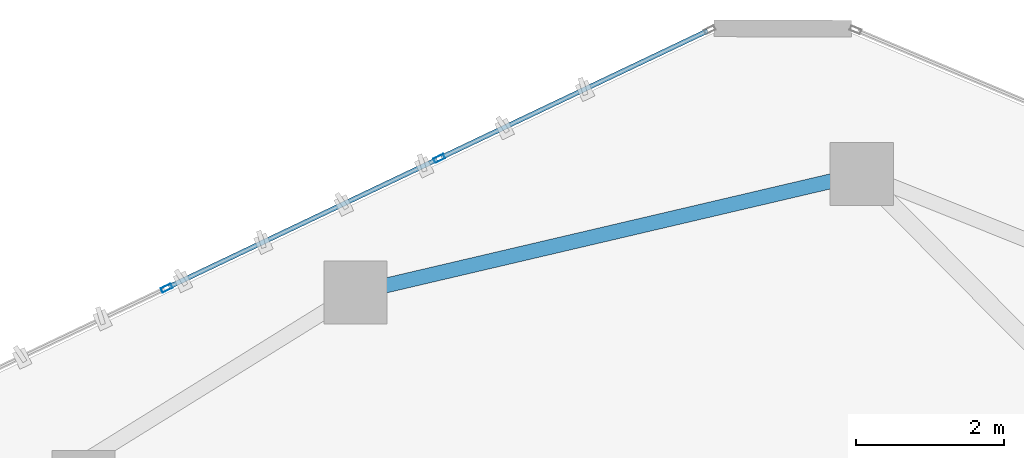
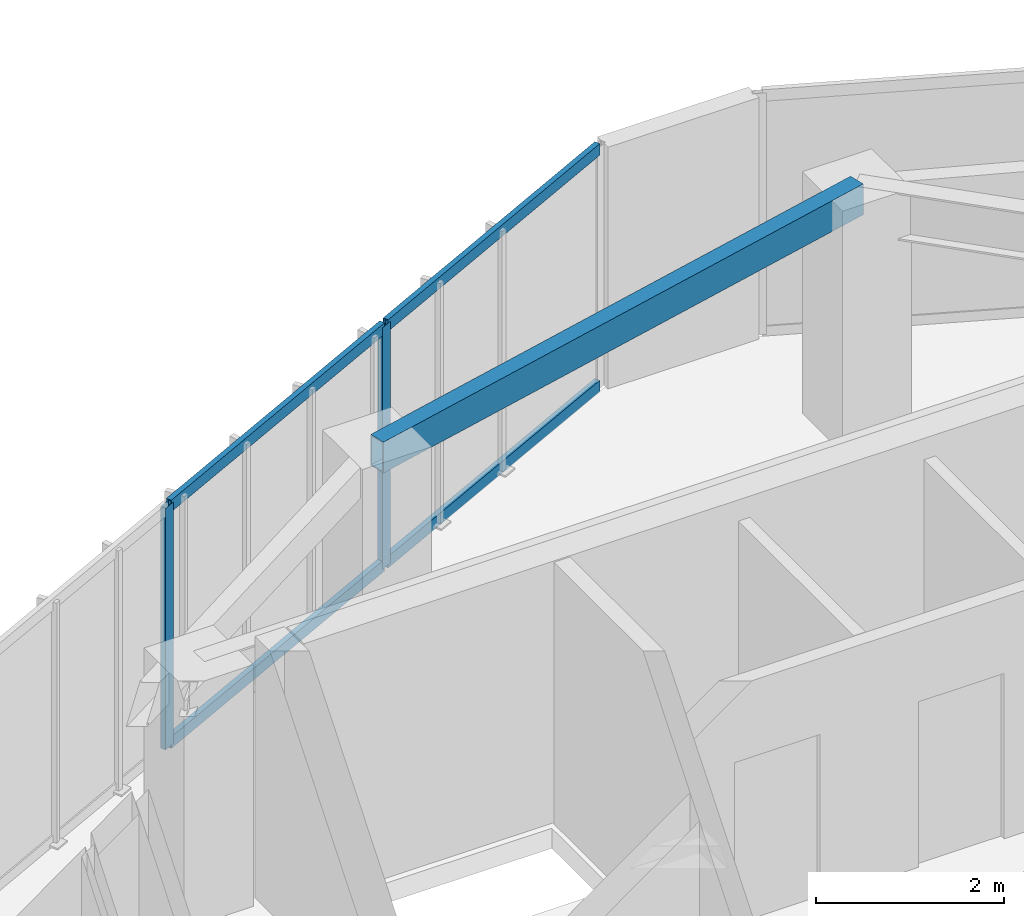
# One storey, part 11 of 20: 6 members, 1 beam, 1 element without a shape of its own.
"""IFC4 building model written with IfcOpenShell, lengths in metres."""

import ifcopenshell
import ifcopenshell.guid

model = None  # the IFC model being written
_history = None  # IfcOwnerHistory: only IFC2X3 demands one
_inside = {}  # id of a spatial element -> (the spatial element, [elements in it])
_under = {}  # id of a project, library or spatial element -> (it, [spatial elements below it])
_declared = {}  # id of a project -> (the project, [libraries it declares])
_typed = {}  # id of a type object -> (the type object, [elements of that type])
_made_of = {}  # id of a material, layer set ... -> (it, [elements and type objects made of it])


def new_model(schema):
    """Start an empty IFC model of exactly this schema.

    Asked for "IFC4X3", IfcOpenShell would pick the latest addendum, in which some entities
    have other attributes; the version numbers below select the first issue.
    IFC2X3 requires an IfcOwnerHistory on every rooted entity: one is made here for all.
    """
    global model, _history
    if schema == "IFC4X3":
        model = ifcopenshell.file(schema_version=(4, 3, 0, 0))
    else:
        model = ifcopenshell.file(schema=schema)
    _inside.clear()
    _under.clear()
    _declared.clear()
    _typed.clear()
    _made_of.clear()
    _history = None
    if model.schema == "IFC2X3":
        org = make("IfcOrganization", Name="unknown")
        user = make(
            "IfcPersonAndOrganization",
            ThePerson=make("IfcPerson", FamilyName="unknown"),
            TheOrganization=org,
        )
        app = make(
            "IfcApplication",
            ApplicationDeveloper=org,
            Version="unknown",
            ApplicationFullName="unknown",
            ApplicationIdentifier="unknown",
        )
        _history = make(
            "IfcOwnerHistory",
            OwningUser=user,
            OwningApplication=app,
            ChangeAction="ADDED",
            CreationDate=0,
        )
    return model


def make(cls, **values):
    """One entity of the class cls with the attributes given. An attribute that is None is left unset."""
    return model.create_entity(
        cls, **{name: value for name, value in values.items() if value is not None}
    )


def rooted(cls, **values):
    """An entity with a GlobalId (a new one), such as an element, a storey or a relation."""
    return make(cls, GlobalId=ifcopenshell.guid.new(), OwnerHistory=_history, **values)


def si_unit(unit_type, name, prefix=None):
    """IfcSIUnit, for example si_unit("LENGTHUNIT", "METRE", prefix="MILLI")."""
    return make("IfcSIUnit", UnitType=unit_type, Prefix=prefix, Name=name)


def assignment(units):
    """IfcUnitAssignment: the units of a project."""
    return None if units is None else make("IfcUnitAssignment", Units=units)


def point(xyz):
    """IfcCartesianPoint."""
    return None if xyz is None else make("IfcCartesianPoint", Coordinates=xyz)


def direction(xyz):
    """IfcDirection."""
    return None if xyz is None else make("IfcDirection", DirectionRatios=xyz)


def frame(location, z_axis=None, x_axis=None):
    """IfcAxis2Placement3D, a coordinate frame: its origin and axes. An axis left out is left unset."""
    return make(
        "IfcAxis2Placement3D",
        Location=point(location),
        Axis=direction(z_axis),
        RefDirection=direction(x_axis),
    )


def frame_2d(location, x_axis=None):
    """IfcAxis2Placement2D, a coordinate frame in the plane: its origin and x axis."""
    return make(
        "IfcAxis2Placement2D", Location=point(location), RefDirection=direction(x_axis)
    )


def origin():
    """The frame at (0, 0, 0) with its axes left unset."""
    return frame((0.0, 0.0, 0.0))


def origin_2d():
    """The frame at (0, 0) in the plane with its x axis left unset."""
    return frame_2d((0.0, 0.0))


def place(relative_to, where):
    """IfcLocalPlacement: puts the frame where relative to a parent placement (None: the world)."""
    return make(
        "IfcLocalPlacement", PlacementRelTo=relative_to, RelativePlacement=where
    )


def context(
    kind, dimensions, precision=None, world=None, true_north=None, identifier=None
):
    """IfcGeometricRepresentationContext, for example the 3D "Model" context."""
    return make(
        "IfcGeometricRepresentationContext",
        ContextIdentifier=identifier,
        ContextType=kind,
        CoordinateSpaceDimension=dimensions,
        Precision=precision,
        WorldCoordinateSystem=world,
        TrueNorth=true_north,
    )


def subcontext(parent, identifier, kind, view, scale=None):
    """IfcGeometricRepresentationSubContext, for example "Body" below "Model"."""
    return make(
        "IfcGeometricRepresentationSubContext",
        ContextIdentifier=identifier,
        ContextType=kind,
        ParentContext=parent,
        TargetScale=scale,
        TargetView=view,
    )


def project(units=None, contexts=None):
    """IfcProject with its units and contexts."""
    return rooted(
        "IfcProject",
        Name="project",
        RepresentationContexts=contexts,
        UnitsInContext=assignment(units),
    )


def spatial(cls, under=None, at=None, **own):
    """A site, building, storey or space (cls), placed at a placement, below another one or the project."""
    s = rooted(cls, ObjectPlacement=at, **own)
    if under is not None:
        _under.setdefault(under.id(), (under, []))[1].append(s)
    return s


def profile(cls, at=None, kind="AREA", **sizes):
    """A parametric profile (cls). Its sizes go by their IFC names, for example OverallWidth=200.0."""
    return make(cls, ProfileType=kind, Position=at, **sizes)


def hollow_rectangle(**sizes):
    """IfcRectangleHollowProfileDef."""
    return profile("IfcRectangleHollowProfileDef", **sizes)


def extrude(swept, where, along, depth):
    """IfcExtrudedAreaSolid: the profile swept, set in the frame where, extruded along a direction by depth."""
    return make(
        "IfcExtrudedAreaSolid",
        SweptArea=swept,
        Position=where,
        ExtrudedDirection=direction(along),
        Depth=depth,
    )


def shape(context_of_items, identifier, shape_type, items):
    """IfcShapeRepresentation: the items that make up one representation, for example the "Body"."""
    return make(
        "IfcShapeRepresentation",
        ContextOfItems=context_of_items,
        RepresentationIdentifier=identifier,
        RepresentationType=shape_type,
        Items=items,
    )


def source(mapping_origin, context_of_items, identifier, shape_type, items):
    """IfcRepresentationMap: a shape defined once, which mapped items show again and again."""
    return make(
        "IfcRepresentationMap",
        MappingOrigin=mapping_origin,
        MappedRepresentation=shape(context_of_items, identifier, shape_type, items),
    )


def transform(
    local_origin,
    x_axis=None,
    y_axis=None,
    z_axis=None,
    scale=None,
    scale2=None,
    scale3=None,
    uniform=True,
):
    """IfcCartesianTransformationOperator3D, or its non-uniform kind. x_axis, y_axis, z_axis: its Axis1, 2, 3."""
    if uniform:
        return make(
            "IfcCartesianTransformationOperator3D",
            Axis1=direction(x_axis),
            Axis2=direction(y_axis),
            LocalOrigin=point(local_origin),
            Scale=scale,
            Axis3=direction(z_axis),
        )
    return make(
        "IfcCartesianTransformationOperator3DnonUniform",
        Axis1=direction(x_axis),
        Axis2=direction(y_axis),
        LocalOrigin=point(local_origin),
        Scale=scale,
        Axis3=direction(z_axis),
        Scale2=scale2,
        Scale3=scale3,
    )


def mapped(mapping_source, mapping_target):
    """IfcMappedItem: shows the shape of a source again, moved by a transform."""
    return make(
        "IfcMappedItem", MappingSource=mapping_source, MappingTarget=mapping_target
    )


def material(Name=None, Category=None):
    """IfcMaterial."""
    return make("IfcMaterial", Name=Name, Category=Category)


def layer(
    of_material, thickness, ventilated=None, Name=None, Category=None, Priority=None
):
    """IfcMaterialLayer: one layer of a wall or slab, of a material (None: an air gap)."""
    return make(
        "IfcMaterialLayer",
        Material=of_material,
        LayerThickness=thickness,
        IsVentilated=ventilated,
        Name=Name,
        Category=Category,
        Priority=Priority,
    )


def layer_set(layers, Name=None):
    """IfcMaterialLayerSet."""
    return make("IfcMaterialLayerSet", MaterialLayers=layers, LayerSetName=Name)


def material_profile(
    of_material, cross_section, Name=None, Category=None, Priority=None
):
    """IfcMaterialProfile: a cross section and its material."""
    return make(
        "IfcMaterialProfile",
        Name=Name,
        Material=of_material,
        Profile=cross_section,
        Priority=Priority,
        Category=Category,
    )


def profile_set(profiles, Name=None, composite=None):
    """IfcMaterialProfileSet."""
    return make(
        "IfcMaterialProfileSet",
        Name=Name,
        MaterialProfiles=profiles,
        CompositeProfile=composite,
    )


def made_of(thing, what):
    """Note that an element or type object is made of a material, layer set ...; save() writes the relation."""
    if what is not None:
        _made_of.setdefault(what.id(), (what, []))[1].append(thing)
    return thing


def type_object(cls, material=None, **own):
    """A type object (cls), such as IfcWallType, which elements share."""
    return made_of(rooted(cls, **own), material)


def type_shapes(of_type, sources):
    """Give a type object the sources (RepresentationMaps) that its elements show as mapped items."""
    of_type.RepresentationMaps = sources


def element(
    cls,
    number,
    at=None,
    inside=None,
    cuts=None,
    type_object=None,
    material=None,
    context=None,
    identifier="Body",
    shape_type=None,
    held_by="IfcProductDefinitionShape",
    body=None,
    shapes=None,
    **own,
):
    """One element of the class cls, such as IfcWall. Its Tag is "e" and its number.

    at: its placement. inside: the storey or other place that contains it. cuts: it is an
    opening in that element (IfcRelVoidsElement). A single representation is given by context,
    identifier, shape_type and body (its items); several are given by shapes. held_by: the class
    of the entity that holds the representations. save() writes the other relations.
    """
    e = rooted(cls, Tag="e%d" % number, ObjectPlacement=at, **own)
    if body is not None:
        shapes = [shape(context, identifier, shape_type, body)]
    if shapes is not None:
        e.Representation = make(held_by, Representations=shapes)
    if inside is not None:
        _inside.setdefault(inside.id(), (inside, []))[1].append(e)
    if cuts is not None:
        rooted(
            "IfcRelVoidsElement", RelatingBuildingElement=cuts, RelatedOpeningElement=e
        )
    if type_object is not None:
        _typed.setdefault(type_object.id(), (type_object, []))[1].append(e)
    return made_of(e, material)


def aggregate(whole, parts):
    """IfcRelAggregates: a whole, such as a stair, and the parts it consists of."""
    return rooted("IfcRelAggregates", RelatingObject=whole, RelatedObjects=parts)


def save(model, path):
    """Write the relations noted so far, then the file.

    IfcRelAggregates (storeys below a building ...), IfcRelContainedInSpatialStructure (elements
    in a storey), IfcRelDefinesByType, IfcRelAssociatesMaterial and IfcRelDeclares: one each for
    every whole, place, type object, material and project.
    """
    for whole, parts in _under.values():
        aggregate(whole, parts)
    for where, things in _inside.values():
        rooted(
            "IfcRelContainedInSpatialStructure",
            RelatedElements=things,
            RelatingStructure=where,
        )
    for kind, things in _typed.values():
        rooted("IfcRelDefinesByType", RelatedObjects=things, RelatingType=kind)
    for what, things in _made_of.values():
        rooted("IfcRelAssociatesMaterial", RelatedObjects=things, RelatingMaterial=what)
    for by, libraries in _declared.values():
        rooted("IfcRelDeclares", RelatingContext=by, RelatedDefinitions=libraries)
    model.write(path)


model = new_model("IFC4")

# Units and contexts
model_context = context("Model", 3, precision=1e-05, world=origin(), true_north=direction((0.0, 1.0)))
body_context = subcontext(model_context, "Body", "Model", "MODEL_VIEW")
ifc_project = project(units=[si_unit("LENGTHUNIT", "METRE"), si_unit("AREAUNIT", "SQUARE_METRE"), si_unit("VOLUMEUNIT", "CUBIC_METRE"), si_unit("PLANEANGLEUNIT", "RADIAN"), si_unit("MASSUNIT", "GRAM", prefix="KILO")], contexts=[model_context])

# Site, building, storey
site_placement = place(None, origin())
site = spatial("IfcSite", under=ifc_project, at=site_placement, CompositionType="ELEMENT")
building_placement = place(site_placement, origin())
building = spatial("IfcBuilding", under=site, at=building_placement, Name="Talar Marvaseh", CompositionType="ELEMENT")
storey_placement = place(building_placement, frame((0.0, 0.0, 268.0)))
storey = spatial("IfcBuildingStorey", under=building, at=storey_placement, Name="L71", CompositionType="ELEMENT", Elevation=268.0)

# Beam
ifc_material_1 = material(Name="Steel S355", Category="steel")
ifc_material_profile_1 = material_profile(ifc_material_1, hollow_rectangle(XDim=0.199951171875, YDim=0.39990234375, WallThickness=0.013916015625, at=origin_2d()), Name="RHS400x200x14")
ifc_profile_set_1 = profile_set([ifc_material_profile_1], Name="Steel S355")
beam_type = type_object("IfcBeamType", Name="Zone 3 Perimeter Spandrel Beam RHS400x200x14", PredefinedType="SPANDREL", material=ifc_profile_set_1)
beam_placement = place(storey_placement, frame((22.364990234375, 39.4541015625, 2.93994140625), z_axis=(0.973655602276, 0.228023613157, 0.0), x_axis=(-0.228023613157, 0.973655602276, 0.0)))
element("IfcBeam", 1, at=beam_placement, inside=storey, type_object=beam_type, Name="L71 Zone 3 Perimeter Spandrel Beam RHS400x200x14", PredefinedType="SPANDREL", context=body_context, shape_type="SweptSolid", body=[
    extrude(hollow_rectangle(XDim=0.199951171875, YDim=0.39990234375, WallThickness=0.013916015625, at=origin_2d()), origin(), (0.0, 0.0, 1.0), 7.007568359375),
])

# Curtain wall, members
ifc_material_2 = material(Name="Architectural Aluminium", Category="aluminium")
ifc_layer = layer(ifc_material_2, 0.179931640625)
ifc_layer_set = layer_set([ifc_layer], Name="Architectural Aluminium")
curtain_wall_type = type_object("IfcCurtainWallType", Name="Unitised High-Wind Sky Curtain Wall Z4", PredefinedType="NOTDEFINED", material=ifc_layer_set)
curtain_wall_placement = place(storey_placement, origin())
curtain_wall = element("IfcCurtainWall", 2, at=curtain_wall_placement, inside=storey, type_object=curtain_wall_type, Name="L71 Unitised High-Wind Sky Curtain Wall Z4", PredefinedType="NOTDEFINED")
ifc_material_profile_2 = material_profile(ifc_material_2, hollow_rectangle(XDim=0.06494140625, YDim=0.14990234375, WallThickness=0.00390625, at=origin_2d()), Name="RHS150x65x4")
ifc_profile_set_2 = profile_set([ifc_material_profile_2], Name="Architectural Aluminium")
member_type_1 = type_object("IfcMemberType", Name="Unitised Curtain Wall Slim Mullion RHS150x65x4", PredefinedType="MULLION", material=ifc_profile_set_2)
shared_shape_1 = source(origin(), body_context, "Body", "SweptSolid", [
    extrude(hollow_rectangle(XDim=0.06494140625, YDim=0.14990234375, WallThickness=0.00390625, at=origin_2d()), origin(), (0.0, 0.0, 1.0), 3.139892578125),
])
type_shapes(member_type_1, [shared_shape_1])
member_1_placement = place(storey_placement, frame((19.820068359375, 39.51513671875, 0.0), z_axis=(0.0, 0.0, 1.0), x_axis=(-0.42943963378, 0.903095565784, 0.0)))
member_1 = element("IfcMember", 3, at=member_1_placement, type_object=member_type_1, Name="CW-Z4 mullion 2", PredefinedType="MULLION", context=body_context, shape_type="MappedRepresentation", body=[
    mapped(shared_shape_1, transform((0.0, 0.0, 0.0), x_axis=(1.0, 0.0, 0.0), y_axis=(0.0, 1.0, 0.0), z_axis=(0.0, 0.0, 1.0), scale=1.0)),
])
member_2_placement = place(storey_placement, frame((23.494384765625, 41.262451171875, 0.0), z_axis=(0.0, 0.0, 1.0), x_axis=(-0.42943963378, 0.903095565784, 0.0)))
member_2 = element("IfcMember", 4, at=member_2_placement, type_object=member_type_1, Name="CW-Z4 mullion 3", PredefinedType="MULLION", context=body_context, shape_type="MappedRepresentation", body=[
    mapped(shared_shape_1, transform((0.0, 0.0, 0.0), x_axis=(1.0, 0.0, 0.0), y_axis=(0.0, 1.0, 0.0), z_axis=(0.0, 0.0, 1.0), scale=1.0)),
])
ifc_material_profile_3 = material_profile(ifc_material_2, hollow_rectangle(XDim=0.06494140625, YDim=0.14990234375, WallThickness=0.00390625, at=origin_2d()), Name="RHS150x65x4")
ifc_profile_set_3 = profile_set([ifc_material_profile_3], Name="Architectural Aluminium")
member_type_2 = type_object("IfcMemberType", Name="Unitised Curtain Wall Slim Transom RHS150x65x4", PredefinedType="USERDEFINED", material=ifc_profile_set_3)
shared_shape_2 = source(origin(), body_context, "Body", "SweptSolid", [
    extrude(hollow_rectangle(XDim=0.06494140625, YDim=0.14990234375, WallThickness=0.00390625, at=origin_2d()), origin(), (0.0, 0.0, 1.0), 3.97119140625),
])
member_3_placement = place(storey_placement, frame((23.523681640625, 41.2763671875, 0.032470703125), z_axis=(0.903104692186, 0.429420440771, 0.0), x_axis=(-0.429420440771, 0.903104692186, 0.0)))
member_3 = element("IfcMember", 5, at=member_3_placement, type_object=member_type_2, Name="CW-Z4 transom 3.1", ObjectType="TRANSOM", PredefinedType="USERDEFINED", context=body_context, shape_type="MappedRepresentation", body=[
    mapped(shared_shape_2, transform((0.0, 0.0, 0.0), x_axis=(1.0, 0.0, 0.0), y_axis=(0.0, 1.0, 0.0), z_axis=(0.0, 0.0, 1.0), scale=1.0)),
])
member_4_placement = place(storey_placement, frame((23.523681640625, 41.2763671875, 3.107421875), z_axis=(0.903104692186, 0.429420440771, 0.0), x_axis=(-0.429420440771, 0.903104692186, 0.0)))
member_4 = element("IfcMember", 6, at=member_4_placement, type_object=member_type_2, Name="CW-Z4 transom 3.2", ObjectType="TRANSOM", PredefinedType="USERDEFINED", context=body_context, shape_type="MappedRepresentation", body=[
    mapped(shared_shape_2, transform((0.0, 0.0, 0.0), x_axis=(1.0, 0.0, 0.0), y_axis=(0.0, 1.0, 0.0), z_axis=(0.0, 0.0, 1.0), scale=1.0)),
])
shared_shape_3 = source(origin(), body_context, "Body", "SweptSolid", [
    extrude(hollow_rectangle(XDim=0.06494140625, YDim=0.14990234375, WallThickness=0.00390625, at=origin_2d()), origin(), (0.0, 0.0, 1.0), 4.003662109375),
])
type_shapes(member_type_2, [shared_shape_2, shared_shape_3])
member_5_placement = place(storey_placement, frame((19.849365234375, 39.529296875, 0.032470703125), z_axis=(0.903106092742, 0.42941749528, 0.0), x_axis=(-0.42941749528, 0.903106092742, 0.0)))
member_5 = element("IfcMember", 7, at=member_5_placement, type_object=member_type_2, Name="CW-Z4 transom 2.1", ObjectType="TRANSOM", PredefinedType="USERDEFINED", context=body_context, shape_type="MappedRepresentation", body=[
    mapped(shared_shape_3, transform((0.0, 0.0, 0.0), x_axis=(1.0, 0.0, 0.0), y_axis=(0.0, 1.0, 0.0), z_axis=(0.0, 0.0, 1.0), scale=1.0)),
])
member_6_placement = place(storey_placement, frame((19.849365234375, 39.529296875, 3.107421875), z_axis=(0.903106092742, 0.42941749528, 0.0), x_axis=(-0.42941749528, 0.903106092742, 0.0)))
member_6 = element("IfcMember", 8, at=member_6_placement, type_object=member_type_2, Name="CW-Z4 transom 2.2", ObjectType="TRANSOM", PredefinedType="USERDEFINED", context=body_context, shape_type="MappedRepresentation", body=[
    mapped(shared_shape_3, transform((0.0, 0.0, 0.0), x_axis=(1.0, 0.0, 0.0), y_axis=(0.0, 1.0, 0.0), z_axis=(0.0, 0.0, 1.0), scale=1.0)),
])
aggregate(curtain_wall, [member_1, member_2, member_5, member_6, member_3, member_4])

save(model, "model.ifc")
